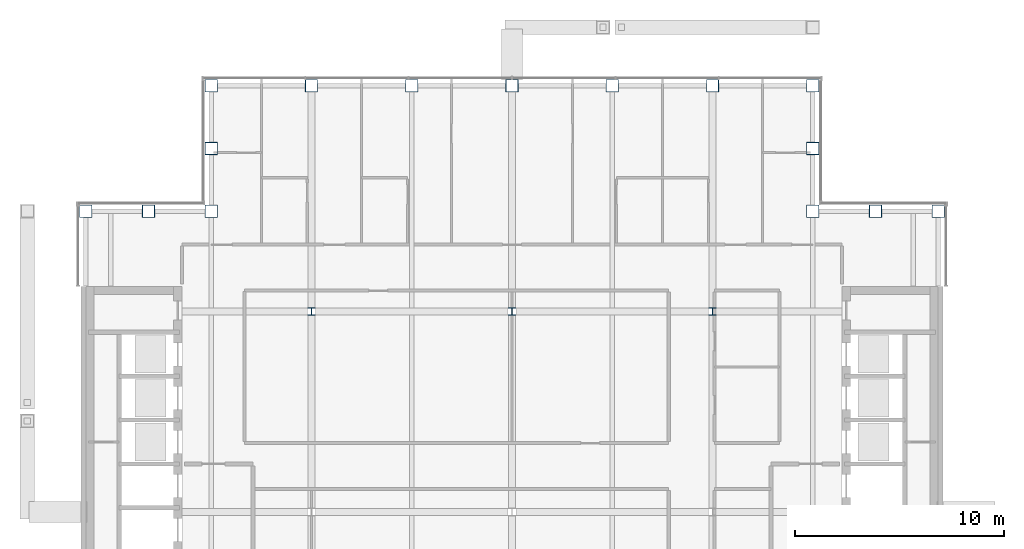
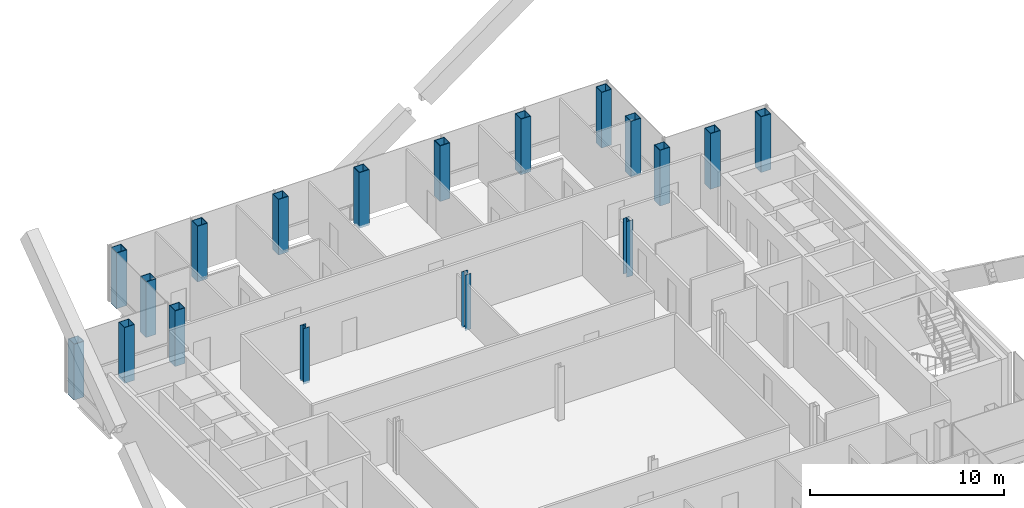
# One storey, part 3 of 15: 18 columns.
"""IFC4 building model written with IfcOpenShell, lengths in metres."""

from ifc_helpers import new_model, si_unit, direction, frame, origin, origin_2d, place, context, subcontext, project, spatial, hollow_rectangle, i_section, extrude, material, material_profile, profile_set, type_object, element, save


model = new_model("IFC4")

# Units and contexts
model_context = context("Model", 3, precision=1e-05, world=origin(), true_north=direction((0.0, 1.0)))
body_context = subcontext(model_context, "Body", "Model", "MODEL_VIEW")
ifc_project = project(units=[si_unit("LENGTHUNIT", "METRE"), si_unit("AREAUNIT", "SQUARE_METRE"), si_unit("VOLUMEUNIT", "CUBIC_METRE"), si_unit("PLANEANGLEUNIT", "RADIAN"), si_unit("MASSUNIT", "GRAM", prefix="KILO")], contexts=[model_context])

# Site, building, storey
site_placement = place(None, origin())
site = spatial("IfcSite", under=ifc_project, at=site_placement, CompositionType="ELEMENT")
building_placement = place(site_placement, origin())
building = spatial("IfcBuilding", under=site, at=building_placement, Name="Cobrizo Arcos Hotel Tower", CompositionType="ELEMENT")
storey_placement = place(building_placement, frame((0.0, 0.0, 244.5)))
storey = spatial("IfcBuildingStorey", under=building, at=storey_placement, Name="L64", CompositionType="ELEMENT", Elevation=244.5)

# Columns
ifc_material_1 = material(Name="Steel ASTM A572 Grade 50", Category="steel")
ifc_material_profile_1 = material_profile(ifc_material_1, hollow_rectangle(XDim=0.60009765625, YDim=0.60009765625, WallThickness=0.030029296875, at=origin_2d()), Name="BOX 600X600X30")
ifc_profile_set_1 = profile_set([ifc_material_profile_1], Name="Steel ASTM A572 Grade 50")
column_type_1 = type_object("IfcColumnType", Name="BOX 600X600X30 column", PredefinedType="COLUMN", material=ifc_profile_set_1)
for number, where, z_axis, x_axis, name in (
    (1, (-14.39990234375, 20.39990234375, -0.14990234375), (0.0, 0.0, 1.0), (1.0, 0.0, 0.0), "Perimeter column C12, L64, no. 00"),
    (2, (-9.60009765625, 20.39990234375, -0.14990234375), (0.0, 0.0, 1.0), (1.0, 0.0, 0.0), "Perimeter column C12, L64, no. 02"),
    (3, (-4.800048828125, 20.39990234375, -0.14990234375), (0.0, 0.0, 1.0), (1.0, 0.0, 0.0), "Perimeter column C12, L64, no. 04"),
    (4, (0.0, 20.39990234375, -0.14990234375), (0.0, 0.0, 1.0), (1.0, 0.0, 0.0), "Perimeter column C12, L64, no. 06"),
    (5, (4.800048828125, 20.39990234375, -0.14990234375), (0.0, 0.0, 1.0), (1.0, 0.0, 0.0), "Perimeter column C12, L64, no. 08"),
    (6, (9.60009765625, 20.39990234375, -0.14990234375), (0.0, 0.0, 1.0), (1.0, 0.0, 0.0), "Perimeter column C12, L64, no. 10"),
    (7, (14.39990234375, 20.39990234375, -0.14990234375), (0.0, 0.0, 1.0), (1.0, 0.0, 0.0), "Perimeter column C12, L64, no. 12"),
    (8, (20.39990234375, 14.39990234375, -0.14990234375), (0.0, 0.0, 1.0), (1.0, 0.0, 0.0), "Perimeter column C12, L64, no. 16"),
    (9, (-20.39990234375, 14.39990234375, -0.14990234375), (0.0, 0.0, 1.0), (1.0, 0.0, 0.0), "Perimeter column C12, L64, no. 17"),
    (10, (-14.39990234375, 14.39990234375, -0.14990234375), (0.0, 0.0, 1.0), (1.0, 0.0, 0.0), "Perimeter column C12, L64, no. 21"),
    (11, (-14.39990234375, 17.39990234375, -0.14990234375), (0.0, 0.0, 1.0), (1.0, 0.0, 0.0), "Perimeter column C12, L64, no. 22"),
    (12, (-17.39990234375, 14.39990234375, -0.14990234375), (0.0, 0.0, 1.0), (1.0, 0.0, 0.0), "Perimeter column C12, L64, no. 23"),
    (13, (14.39990234375, 14.39990234375, -0.14990234375), (0.0, 0.0, 1.0), (1.0, 0.0, 0.0), "Perimeter column C12, L64, no. 27"),
    (14, (14.39990234375, 17.39990234375, -0.14990234375), (0.0, 0.0, 1.0), (1.0, 0.0, 0.0), "Perimeter column C12, L64, no. 28"),
    (15, (17.39990234375, 14.39990234375, -0.14990234375), (0.0, 0.0, 1.0), (1.0, 0.0, 0.0), "Perimeter column C12, L64, no. 29"),
):
    element("IfcColumn", number, at=place(storey_placement, frame(where, z_axis=z_axis, x_axis=x_axis)), inside=storey, type_object=column_type_1, Name=name, PredefinedType="COLUMN", context=body_context, shape_type="SweptSolid", body=[
        extrude(hollow_rectangle(XDim=0.60009765625, YDim=0.60009765625, WallThickness=0.030029296875, at=origin_2d()), origin(), (0.0, 0.0, 1.0), 3.5),
    ])
ifc_material_2 = material(Name="Steel ASTM A992 Grade 50", Category="steel")
ifc_material_profile_2 = material_profile(ifc_material_2, i_section(OverallWidth=0.368408203125, OverallDepth=0.355712890625, WebThickness=0.01123046875, FlangeThickness=0.01806640625, at=origin_2d()), Name="W14X90")
ifc_profile_set_2 = profile_set([ifc_material_profile_2], Name="Steel ASTM A992 Grade 50")
column_type_2 = type_object("IfcColumnType", Name="W14X90 interior column", PredefinedType="COLUMN", material=ifc_profile_set_2)
for number, where, z_axis, x_axis, name in (
    (16, (-9.60009765625, 9.60009765625, -0.14990234375), (0.0, 0.0, 1.0), (1.0, 0.0, 0.0), "Interior column C13, L64, no. 02"),
    (17, (0.0, 9.60009765625, -0.14990234375), (0.0, 0.0, 1.0), (1.0, 0.0, 0.0), "Interior column C13, L64, no. 05"),
    (18, (9.60009765625, 9.60009765625, -0.14990234375), (0.0, 0.0, 1.0), (1.0, 0.0, 0.0), "Interior column C13, L64, no. 08"),
):
    element("IfcColumn", number, at=place(storey_placement, frame(where, z_axis=z_axis, x_axis=x_axis)), inside=storey, type_object=column_type_2, Name=name, PredefinedType="COLUMN", context=body_context, shape_type="SweptSolid", body=[
        extrude(i_section(OverallWidth=0.368408203125, OverallDepth=0.355712890625, WebThickness=0.01123046875, FlangeThickness=0.01806640625, at=origin_2d()), origin(), (0.0, 0.0, 1.0), 3.5),
    ])

save(model, "model.ifc")
